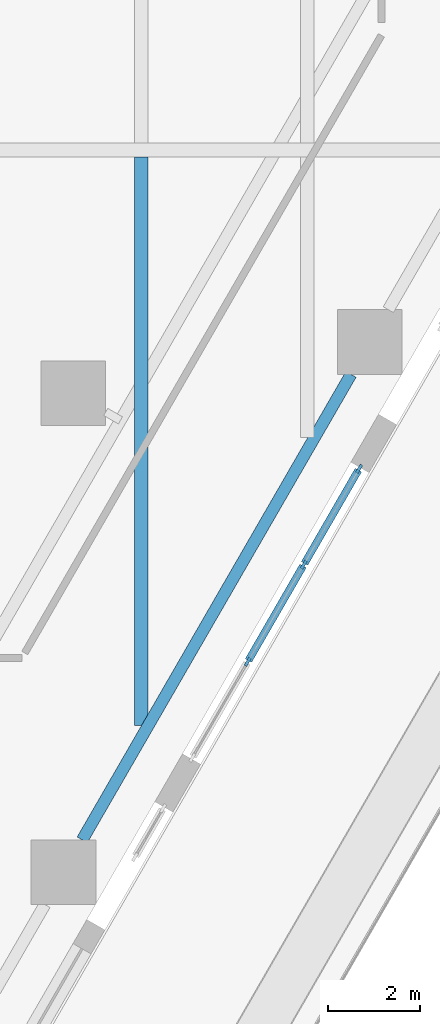
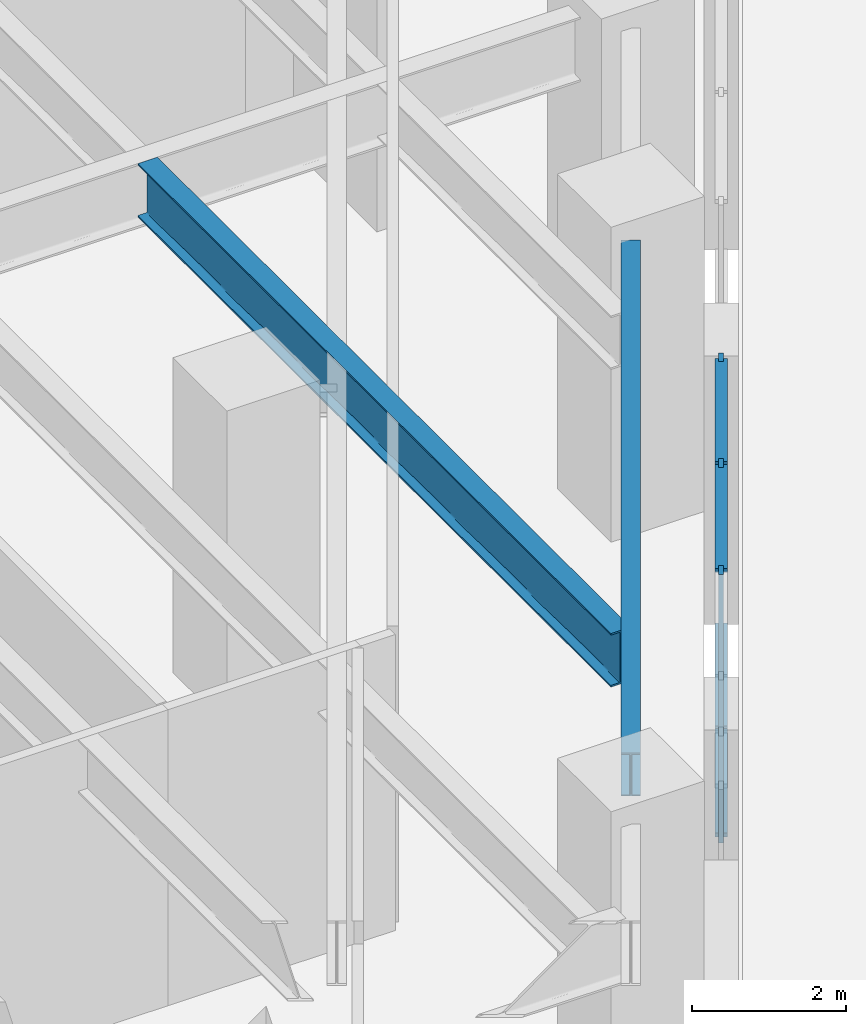
# One storey, part 3 of 31: 7 members, 2 beams, 1 element without a shape of its own.
"""IFC4 building model written with IfcOpenShell, lengths in metres."""

import ifcopenshell
import ifcopenshell.guid

model = None  # the IFC model being written
_history = None  # IfcOwnerHistory: only IFC2X3 demands one
_inside = {}  # id of a spatial element -> (the spatial element, [elements in it])
_under = {}  # id of a project, library or spatial element -> (it, [spatial elements below it])
_declared = {}  # id of a project -> (the project, [libraries it declares])
_typed = {}  # id of a type object -> (the type object, [elements of that type])
_made_of = {}  # id of a material, layer set ... -> (it, [elements and type objects made of it])


def new_model(schema):
    """Start an empty IFC model of exactly this schema.

    Asked for "IFC4X3", IfcOpenShell would pick the latest addendum, in which some entities
    have other attributes; the version numbers below select the first issue.
    IFC2X3 requires an IfcOwnerHistory on every rooted entity: one is made here for all.
    """
    global model, _history
    if schema == "IFC4X3":
        model = ifcopenshell.file(schema_version=(4, 3, 0, 0))
    else:
        model = ifcopenshell.file(schema=schema)
    _inside.clear()
    _under.clear()
    _declared.clear()
    _typed.clear()
    _made_of.clear()
    _history = None
    if model.schema == "IFC2X3":
        org = make("IfcOrganization", Name="unknown")
        user = make(
            "IfcPersonAndOrganization",
            ThePerson=make("IfcPerson", FamilyName="unknown"),
            TheOrganization=org,
        )
        app = make(
            "IfcApplication",
            ApplicationDeveloper=org,
            Version="unknown",
            ApplicationFullName="unknown",
            ApplicationIdentifier="unknown",
        )
        _history = make(
            "IfcOwnerHistory",
            OwningUser=user,
            OwningApplication=app,
            ChangeAction="ADDED",
            CreationDate=0,
        )
    return model


def make(cls, **values):
    """One entity of the class cls with the attributes given. An attribute that is None is left unset."""
    return model.create_entity(
        cls, **{name: value for name, value in values.items() if value is not None}
    )


def rooted(cls, **values):
    """An entity with a GlobalId (a new one), such as an element, a storey or a relation."""
    return make(cls, GlobalId=ifcopenshell.guid.new(), OwnerHistory=_history, **values)


def si_unit(unit_type, name, prefix=None):
    """IfcSIUnit, for example si_unit("LENGTHUNIT", "METRE", prefix="MILLI")."""
    return make("IfcSIUnit", UnitType=unit_type, Prefix=prefix, Name=name)


def assignment(units):
    """IfcUnitAssignment: the units of a project."""
    return None if units is None else make("IfcUnitAssignment", Units=units)


def point(xyz):
    """IfcCartesianPoint."""
    return None if xyz is None else make("IfcCartesianPoint", Coordinates=xyz)


def direction(xyz):
    """IfcDirection."""
    return None if xyz is None else make("IfcDirection", DirectionRatios=xyz)


def frame(location, z_axis=None, x_axis=None):
    """IfcAxis2Placement3D, a coordinate frame: its origin and axes. An axis left out is left unset."""
    return make(
        "IfcAxis2Placement3D",
        Location=point(location),
        Axis=direction(z_axis),
        RefDirection=direction(x_axis),
    )


def frame_2d(location, x_axis=None):
    """IfcAxis2Placement2D, a coordinate frame in the plane: its origin and x axis."""
    return make(
        "IfcAxis2Placement2D", Location=point(location), RefDirection=direction(x_axis)
    )


def origin():
    """The frame at (0, 0, 0) with its axes left unset."""
    return frame((0.0, 0.0, 0.0))


def origin_2d():
    """The frame at (0, 0) in the plane with its x axis left unset."""
    return frame_2d((0.0, 0.0))


def place(relative_to, where):
    """IfcLocalPlacement: puts the frame where relative to a parent placement (None: the world)."""
    return make(
        "IfcLocalPlacement", PlacementRelTo=relative_to, RelativePlacement=where
    )


def context(
    kind, dimensions, precision=None, world=None, true_north=None, identifier=None
):
    """IfcGeometricRepresentationContext, for example the 3D "Model" context."""
    return make(
        "IfcGeometricRepresentationContext",
        ContextIdentifier=identifier,
        ContextType=kind,
        CoordinateSpaceDimension=dimensions,
        Precision=precision,
        WorldCoordinateSystem=world,
        TrueNorth=true_north,
    )


def subcontext(parent, identifier, kind, view, scale=None):
    """IfcGeometricRepresentationSubContext, for example "Body" below "Model"."""
    return make(
        "IfcGeometricRepresentationSubContext",
        ContextIdentifier=identifier,
        ContextType=kind,
        ParentContext=parent,
        TargetScale=scale,
        TargetView=view,
    )


def project(units=None, contexts=None):
    """IfcProject with its units and contexts."""
    return rooted(
        "IfcProject",
        Name="project",
        RepresentationContexts=contexts,
        UnitsInContext=assignment(units),
    )


def spatial(cls, under=None, at=None, **own):
    """A site, building, storey or space (cls), placed at a placement, below another one or the project."""
    s = rooted(cls, ObjectPlacement=at, **own)
    if under is not None:
        _under.setdefault(under.id(), (under, []))[1].append(s)
    return s


def profile(cls, at=None, kind="AREA", **sizes):
    """A parametric profile (cls). Its sizes go by their IFC names, for example OverallWidth=200.0."""
    return make(cls, ProfileType=kind, Position=at, **sizes)


def rectangle(**sizes):
    """IfcRectangleProfileDef."""
    return profile("IfcRectangleProfileDef", **sizes)


def i_section(**sizes):
    """IfcIShapeProfileDef."""
    return profile("IfcIShapeProfileDef", **sizes)


def extrude(swept, where, along, depth):
    """IfcExtrudedAreaSolid: the profile swept, set in the frame where, extruded along a direction by depth."""
    return make(
        "IfcExtrudedAreaSolid",
        SweptArea=swept,
        Position=where,
        ExtrudedDirection=direction(along),
        Depth=depth,
    )


def shape(context_of_items, identifier, shape_type, items):
    """IfcShapeRepresentation: the items that make up one representation, for example the "Body"."""
    return make(
        "IfcShapeRepresentation",
        ContextOfItems=context_of_items,
        RepresentationIdentifier=identifier,
        RepresentationType=shape_type,
        Items=items,
    )


def material(Name=None, Category=None):
    """IfcMaterial."""
    return make("IfcMaterial", Name=Name, Category=Category)


def material_profile(
    of_material, cross_section, Name=None, Category=None, Priority=None
):
    """IfcMaterialProfile: a cross section and its material."""
    return make(
        "IfcMaterialProfile",
        Name=Name,
        Material=of_material,
        Profile=cross_section,
        Priority=Priority,
        Category=Category,
    )


def profile_set(profiles, Name=None, composite=None):
    """IfcMaterialProfileSet."""
    return make(
        "IfcMaterialProfileSet",
        Name=Name,
        MaterialProfiles=profiles,
        CompositeProfile=composite,
    )


def made_of(thing, what):
    """Note that an element or type object is made of a material, layer set ...; save() writes the relation."""
    if what is not None:
        _made_of.setdefault(what.id(), (what, []))[1].append(thing)
    return thing


def type_object(cls, material=None, **own):
    """A type object (cls), such as IfcWallType, which elements share."""
    return made_of(rooted(cls, **own), material)


def element(
    cls,
    number,
    at=None,
    inside=None,
    cuts=None,
    type_object=None,
    material=None,
    context=None,
    identifier="Body",
    shape_type=None,
    held_by="IfcProductDefinitionShape",
    body=None,
    shapes=None,
    **own,
):
    """One element of the class cls, such as IfcWall. Its Tag is "e" and its number.

    at: its placement. inside: the storey or other place that contains it. cuts: it is an
    opening in that element (IfcRelVoidsElement). A single representation is given by context,
    identifier, shape_type and body (its items); several are given by shapes. held_by: the class
    of the entity that holds the representations. save() writes the other relations.
    """
    e = rooted(cls, Tag="e%d" % number, ObjectPlacement=at, **own)
    if body is not None:
        shapes = [shape(context, identifier, shape_type, body)]
    if shapes is not None:
        e.Representation = make(held_by, Representations=shapes)
    if inside is not None:
        _inside.setdefault(inside.id(), (inside, []))[1].append(e)
    if cuts is not None:
        rooted(
            "IfcRelVoidsElement", RelatingBuildingElement=cuts, RelatedOpeningElement=e
        )
    if type_object is not None:
        _typed.setdefault(type_object.id(), (type_object, []))[1].append(e)
    return made_of(e, material)


def aggregate(whole, parts):
    """IfcRelAggregates: a whole, such as a stair, and the parts it consists of."""
    return rooted("IfcRelAggregates", RelatingObject=whole, RelatedObjects=parts)


def save(model, path):
    """Write the relations noted so far, then the file.

    IfcRelAggregates (storeys below a building ...), IfcRelContainedInSpatialStructure (elements
    in a storey), IfcRelDefinesByType, IfcRelAssociatesMaterial and IfcRelDeclares: one each for
    every whole, place, type object, material and project.
    """
    for whole, parts in _under.values():
        aggregate(whole, parts)
    for where, things in _inside.values():
        rooted(
            "IfcRelContainedInSpatialStructure",
            RelatedElements=things,
            RelatingStructure=where,
        )
    for kind, things in _typed.values():
        rooted("IfcRelDefinesByType", RelatedObjects=things, RelatingType=kind)
    for what, things in _made_of.values():
        rooted("IfcRelAssociatesMaterial", RelatedObjects=things, RelatingMaterial=what)
    for by, libraries in _declared.values():
        rooted("IfcRelDeclares", RelatingContext=by, RelatedDefinitions=libraries)
    model.write(path)


model = new_model("IFC4")

# Units and contexts
model_context = context("Model", 3, precision=1e-05, world=origin(), true_north=direction((0.0, 1.0)))
body_context = subcontext(model_context, "Body", "Model", "MODEL_VIEW")
ifc_project = project(units=[si_unit("LENGTHUNIT", "METRE"), si_unit("AREAUNIT", "SQUARE_METRE"), si_unit("VOLUMEUNIT", "CUBIC_METRE"), si_unit("PLANEANGLEUNIT", "RADIAN"), si_unit("MASSUNIT", "GRAM", prefix="KILO")], contexts=[model_context])

# Site, building, storey
site_placement = place(None, origin())
site = spatial("IfcSite", under=ifc_project, at=site_placement, CompositionType="ELEMENT")
building_placement = place(site_placement, origin())
building = spatial("IfcBuilding", under=site, at=building_placement, Name="Aloe Facet Convention Tower", CompositionType="ELEMENT")
storey_placement = place(building_placement, frame((0.0, 0.0, 25.0)))
storey = spatial("IfcBuildingStorey", under=building, at=storey_placement, Name="L04", CompositionType="ELEMENT", Elevation=25.0)

# Curtain wall, members
ifc_material_1 = material(Name="Aluminium, anodised", Category="aluminium")
curtain_wall_type = type_object("IfcCurtainWallType", Name="EV-CW-HALL", PredefinedType="USERDEFINED", material=ifc_material_1)
curtain_wall_placement = place(storey_placement, origin())
curtain_wall = element("IfcCurtainWall", 1, at=curtain_wall_placement, inside=storey, type_object=curtain_wall_type, Name="CW-L04-E06", ObjectType="UNITISED HALL GLAZING", PredefinedType="USERDEFINED")
ifc_material_2 = material(Name="Aluminium, anodised", Category="aluminium")
ifc_material_profile_1 = material_profile(ifc_material_2, rectangle(XDim=0.06494140625, YDim=0.199951171875, at=origin_2d()), Name="AL 65x200")
ifc_profile_set_1 = profile_set([ifc_material_profile_1], Name="Aluminium, anodised")
member_type_1 = type_object("IfcMemberType", Name="EV-MULL-HALL", PredefinedType="MULLION", material=ifc_profile_set_1)
member_1_placement = place(storey_placement, frame((93.1064453125, 87.92138671875, -0.25), z_axis=(0.0, 0.0, 1.0), x_axis=(-0.866025403793, 0.499999999985, 0.0)))
member_1 = element("IfcMember", 2, at=member_1_placement, type_object=member_type_1, Name="CW-L04-E06 mullion 2", PredefinedType="MULLION", context=body_context, shape_type="SweptSolid", body=[
    extrude(rectangle(XDim=0.06494140625, YDim=0.199951171875, at=origin_2d()), origin(), (0.0, 0.0, 1.0), 4.262451171875),
])
member_2_placement = place(storey_placement, frame((94.32080078125, 90.02490234375, -0.25), z_axis=(0.0, 0.0, 1.0), x_axis=(-0.866025403793, 0.499999999985, 0.0)))
member_2 = element("IfcMember", 3, at=member_2_placement, type_object=member_type_1, Name="CW-L04-E06 mullion 3", PredefinedType="MULLION", context=body_context, shape_type="SweptSolid", body=[
    extrude(rectangle(XDim=0.06494140625, YDim=0.199951171875, at=origin_2d()), origin(), (0.0, 0.0, 1.0), 4.262451171875),
])
member_3_placement = place(storey_placement, frame((95.51904296875, 92.100341796875, -0.25), z_axis=(0.0, 0.0, 1.0), x_axis=(-0.866025403793, 0.499999999985, 0.0)))
member_3 = element("IfcMember", 4, at=member_3_placement, type_object=member_type_1, Name="CW-L04-E06 mullion 4", PredefinedType="MULLION", context=body_context, shape_type="SweptSolid", body=[
    extrude(rectangle(XDim=0.06494140625, YDim=0.199951171875, at=origin_2d()), origin(), (0.0, 0.0, 1.0), 4.262451171875),
])
ifc_material_3 = material(Name="Aluminium, anodised", Category="aluminium")
ifc_material_profile_2 = material_profile(ifc_material_3, rectangle(XDim=0.159912109375, YDim=0.06494140625, at=origin_2d()), Name="AL 160x65")
ifc_profile_set_2 = profile_set([ifc_material_profile_2], Name="Aluminium, anodised")
member_type_2 = type_object("IfcMemberType", Name="EV-TRAN-HALL", PredefinedType="USERDEFINED", material=ifc_profile_set_2)
member_4_placement = place(storey_placement, frame((93.12255859375, 87.949462890625, -0.217529296875), z_axis=(0.499948928323, 0.866054888023, 0.0), x_axis=(-0.866054888023, 0.499948928323, 0.0)))
member_4 = element("IfcMember", 5, at=member_4_placement, type_object=member_type_2, Name="CW-L04-E06 transom 2.1", ObjectType="TRANSOM", PredefinedType="USERDEFINED", context=body_context, shape_type="SweptSolid", body=[
    extrude(rectangle(XDim=0.159912109375, YDim=0.06494140625, at=origin_2d()), origin(), (0.0, 0.0, 1.0), 2.364013671875),
])
member_5_placement = place(storey_placement, frame((93.12255859375, 87.949462890625, 3.97998046875), z_axis=(0.499948928323, 0.866054888023, 0.0), x_axis=(-0.866054888023, 0.499948928323, 0.0)))
member_5 = element("IfcMember", 6, at=member_5_placement, type_object=member_type_2, Name="CW-L04-E06 transom 2.2", ObjectType="TRANSOM", PredefinedType="USERDEFINED", context=body_context, shape_type="SweptSolid", body=[
    extrude(rectangle(XDim=0.159912109375, YDim=0.06494140625, at=origin_2d()), origin(), (0.0, 0.0, 1.0), 2.364013671875),
])
member_6_placement = place(storey_placement, frame((94.337158203125, 90.052978515625, -0.217529296875), z_axis=(0.499946062176, 0.866056542562, 0.0), x_axis=(-0.866056542562, 0.499946062176, 0.0)))
member_6 = element("IfcMember", 7, at=member_6_placement, type_object=member_type_2, Name="CW-L04-E06 transom 3.1", ObjectType="TRANSOM", PredefinedType="USERDEFINED", context=body_context, shape_type="SweptSolid", body=[
    extrude(rectangle(XDim=0.159912109375, YDim=0.06494140625, at=origin_2d()), origin(), (0.0, 0.0, 1.0), 2.331298828125),
])
member_7_placement = place(storey_placement, frame((94.337158203125, 90.052978515625, 3.97998046875), z_axis=(0.499946062176, 0.866056542562, 0.0), x_axis=(-0.866056542562, 0.499946062176, 0.0)))
member_7 = element("IfcMember", 8, at=member_7_placement, type_object=member_type_2, Name="CW-L04-E06 transom 3.2", ObjectType="TRANSOM", PredefinedType="USERDEFINED", context=body_context, shape_type="SweptSolid", body=[
    extrude(rectangle(XDim=0.159912109375, YDim=0.06494140625, at=origin_2d()), origin(), (0.0, 0.0, 1.0), 2.331298828125),
])
aggregate(curtain_wall, [member_1, member_2, member_3, member_4, member_5, member_6, member_7])

# Beams
ifc_material_4 = material(Name="Steel S355", Category="steel")
ifc_material_profile_3 = material_profile(ifc_material_4, i_section(OverallWidth=0.25439453125, OverallDepth=0.6875, WebThickness=0.01318359375, FlangeThickness=0.02099609375, FilletRadius=0.01513671875, at=origin_2d()), Name="UB 686x254x152")
ifc_profile_set_3 = profile_set([ifc_material_profile_3], Name="Steel S355")
beam_type_1 = type_object("IfcBeamType", Name="SF-B-UB686x254x152", PredefinedType="BEAM", material=ifc_profile_set_3)
beam_1_placement = place(storey_placement, frame((95.3427734375, 94.14501953125, 4.356201171875), z_axis=(-0.499994831492, -0.866028387804, 0.0), x_axis=(0.866028387804, -0.499994831492, 0.0)))
element("IfcBeam", 9, at=beam_1_placement, inside=storey, type_object=beam_type_1, Name="Floor beam FB-L05-013", PredefinedType="BEAM", context=body_context, shape_type="SweptSolid", body=[
    extrude(i_section(OverallWidth=0.25439453125, OverallDepth=0.6875, WebThickness=0.01318359375, FlangeThickness=0.02099609375, FilletRadius=0.01513671875, at=origin_2d()), origin(), (0.0, 0.0, 1.0), 11.63818359375),
])
ifc_material_5 = material(Name="Steel S355", Category="steel")
ifc_material_profile_4 = material_profile(ifc_material_5, i_section(OverallWidth=0.293701171875, OverallDepth=0.850830078125, WebThickness=0.01611328125, FlangeThickness=0.02685546875, FilletRadius=0.017822265625, at=origin_2d()), Name="UB 838x292x226")
ifc_profile_set_4 = profile_set([ifc_material_profile_4], Name="Steel S355")
beam_type_2 = type_object("IfcBeamType", Name="SF-B-UB838x292x226", PredefinedType="BEAM", material=ifc_profile_set_4)
beam_2_placement = place(storey_placement, frame((90.800048828125, 86.541259765625, 4.2744140625), z_axis=(0.0, 1.0, 0.0), x_axis=(-1.0, 0.0, 0.0)))
element("IfcBeam", 10, at=beam_2_placement, inside=storey, type_object=beam_type_2, Name="Floor beam FB-L05-067", PredefinedType="BEAM", context=body_context, shape_type="SweptSolid", body=[
    extrude(i_section(OverallWidth=0.293701171875, OverallDepth=0.850830078125, WebThickness=0.01611328125, FlangeThickness=0.02685546875, FilletRadius=0.017822265625, at=origin_2d()), origin(), (0.0, 0.0, 1.0), 12.30615234375),
])

save(model, "model.ifc")
